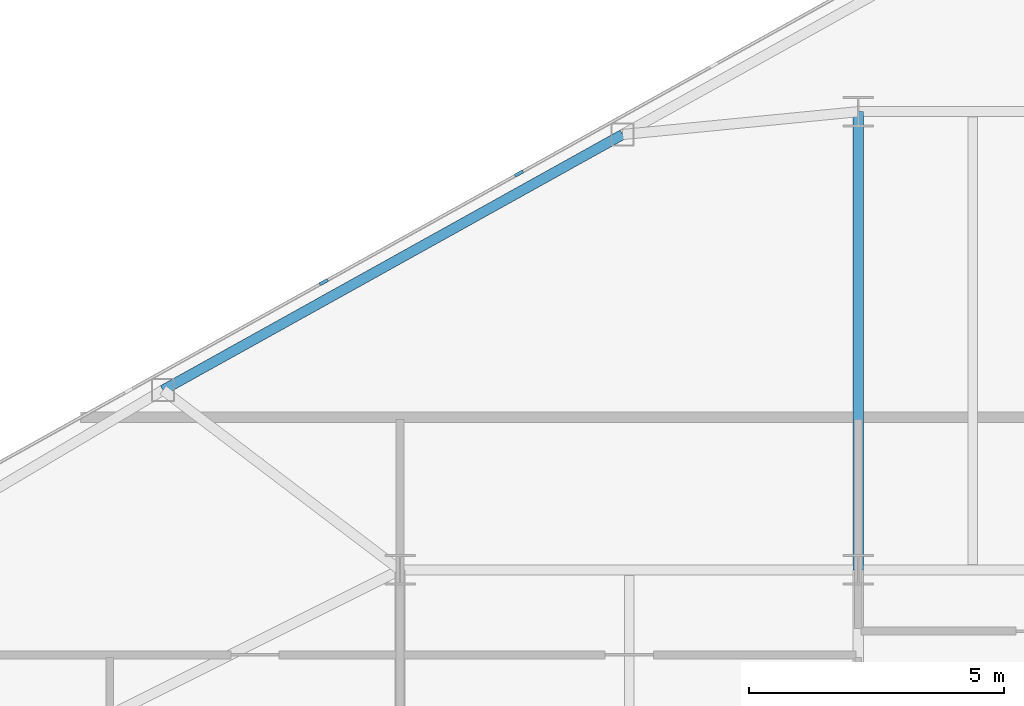
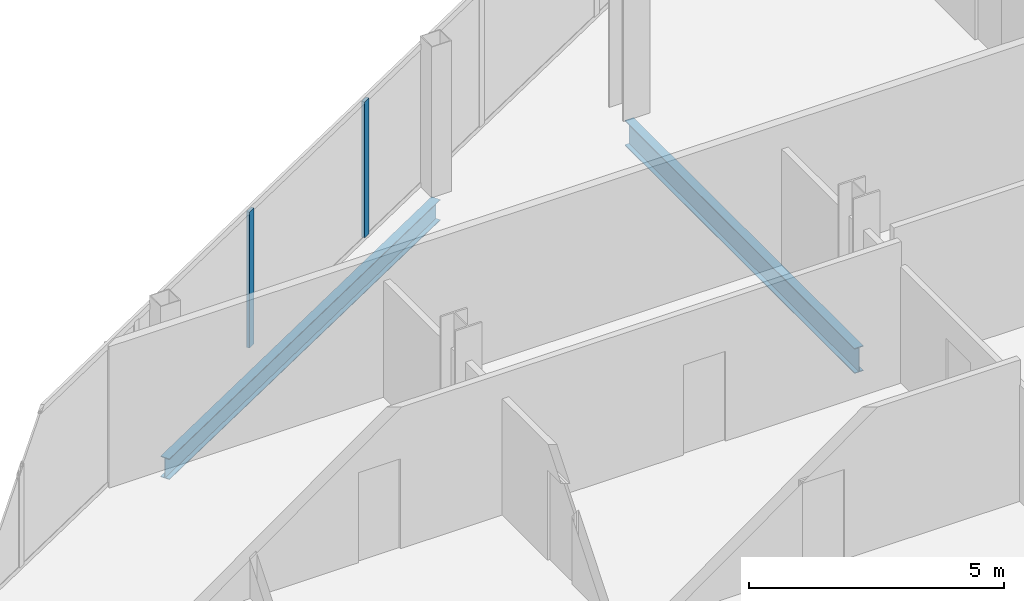
# One storey, part 8 of 26: 2 beams, 2 members, 1 element without a shape of its own.
"""IFC4 building model written with IfcOpenShell, lengths in metres."""

from ifc_helpers import new_model, si_unit, direction, frame, origin, origin_2d, place, context, subcontext, project, spatial, rectangle, i_section, extrude, source, transform, mapped, material, layer, layer_set, material_profile, profile_set, type_object, type_shapes, element, aggregate, save


model = new_model("IFC4")

# Units and contexts
model_context = context("Model", 3, precision=1e-05, world=origin(), true_north=direction((0.0, 1.0)))
body_context = subcontext(model_context, "Body", "Model", "MODEL_VIEW")
ifc_project = project(units=[si_unit("LENGTHUNIT", "METRE"), si_unit("AREAUNIT", "SQUARE_METRE"), si_unit("VOLUMEUNIT", "CUBIC_METRE"), si_unit("PLANEANGLEUNIT", "RADIAN"), si_unit("MASSUNIT", "GRAM", prefix="KILO")], contexts=[model_context])

# Site, building, storey
site_placement = place(None, origin())
site = spatial("IfcSite", under=ifc_project, at=site_placement, CompositionType="ELEMENT")
building_placement = place(site_placement, origin())
building = spatial("IfcBuilding", under=site, at=building_placement, Name="Seokmaru Belvedere", CompositionType="ELEMENT")
storey_placement = place(building_placement, frame((0.0, 0.0, 177.89990234375)))
storey = spatial("IfcBuildingStorey", under=building, at=storey_placement, Name="L47", CompositionType="ELEMENT", Elevation=177.89990234375)

# Beams
ifc_material_1 = material(Name="Steel SM355 (355 MPa)", Category="steel")
ifc_material_profile_1 = material_profile(ifc_material_1, i_section(OverallWidth=0.199951171875, OverallDepth=0.60009765625, WebThickness=0.010986328125, FlangeThickness=0.01708984375, at=origin_2d()), Name="H-600x200x11x17")
ifc_profile_set_1 = profile_set([ifc_material_profile_1], Name="Steel SM355 (355 MPa)")
beam_type_1 = type_object("IfcBeamType", Name="Primary Floor Girder H-600", PredefinedType="BEAM", material=ifc_profile_set_1)
shared_shape_1 = source(origin(), body_context, "Body", "SweptSolid", [
    extrude(i_section(OverallWidth=0.199951171875, OverallDepth=0.60009765625, WebThickness=0.010986328125, FlangeThickness=0.01708984375, at=origin_2d()), origin(), (0.0, 0.0, 1.0), 9.0),
])
type_shapes(beam_type_1, [shared_shape_1])
beam_1_placement = place(storey_placement, frame((-45.5, 4.5, -0.52001953125), z_axis=(0.0, 1.0, 0.0), x_axis=(-1.0, 0.0, 0.0)))
element("IfcBeam", 1, at=beam_1_placement, inside=storey, type_object=beam_type_1, Name="L47 W Interior Grid Girder 3", PredefinedType="BEAM", context=body_context, shape_type="MappedRepresentation", body=[
    mapped(shared_shape_1, transform((0.0, 0.0, 0.0), scale=1.0)),
])
ifc_material_profile_2 = material_profile(ifc_material_1, i_section(OverallWidth=0.199951171875, OverallDepth=0.5, WebThickness=0.010009765625, FlangeThickness=0.01611328125, at=origin_2d()), Name="H-500x200x10x16")
ifc_profile_set_2 = profile_set([ifc_material_profile_2], Name="Steel SM355 (355 MPa)")
beam_type_2 = type_object("IfcBeamType", Name="Perimeter Spandrel Beam H-500", PredefinedType="SPANDREL", material=ifc_profile_set_2)
shared_shape_2 = source(origin(), body_context, "Body", "SweptSolid", [
    extrude(i_section(OverallWidth=0.199951171875, OverallDepth=0.5, WebThickness=0.010009765625, FlangeThickness=0.01611328125, at=origin_2d()), origin(), (0.0, 0.0, 1.0), 10.327392578125),
])
type_shapes(beam_type_2, [shared_shape_2])
beam_2_placement = place(storey_placement, frame((-50.129150390625, 13.051025390625, -0.469970703125), z_axis=(-0.873934162361, -0.48604431882, 0.0), x_axis=(0.48604431882, -0.873934162361, 0.0)))
element("IfcBeam", 2, at=beam_2_placement, inside=storey, type_object=beam_type_2, Name="L47 W Faceted Flank Spandrel N-3", PredefinedType="SPANDREL", context=body_context, shape_type="MappedRepresentation", body=[
    mapped(shared_shape_2, transform((0.0, 0.0, 0.0), scale=1.0)),
])

# Curtain wall, members
ifc_material_2 = material(Name="Bronze Triple Insulating Glass", Category="glass")
ifc_layer = layer(ifc_material_2, 0.179931640625)
ifc_layer_set = layer_set([ifc_layer], Name="Bronze Triple Insulating Glass")
curtain_wall_type = type_object("IfcCurtainWallType", Name="High-Rise Wind-Corner Curtain Wall System CW-5", PredefinedType="NOTDEFINED", material=ifc_layer_set)
curtain_wall_placement = place(storey_placement, origin())
curtain_wall = element("IfcCurtainWall", 3, at=curtain_wall_placement, inside=storey, type_object=curtain_wall_type, Name="L47 Curtain Wall WF3", PredefinedType="NOTDEFINED")
ifc_material_3 = material(Name="Anodised Bronze Aluminium", Category="aluminium")
ifc_material_profile_3 = material_profile(ifc_material_3, rectangle(XDim=0.06494140625, YDim=0.179931640625, at=origin_2d()), Name="CW-M-65x180")
ifc_profile_set_3 = profile_set([ifc_material_profile_3], Name="Anodised Bronze Aluminium")
member_type = type_object("IfcMemberType", Name="Bronze Unitised Mullion 65x180", PredefinedType="MULLION", material=ifc_profile_set_3)
shared_shape_3 = source(origin(), body_context, "Body", "SweptSolid", [
    extrude(rectangle(XDim=0.06494140625, YDim=0.179931640625, at=origin_2d()), origin(), (0.0, 0.0, 1.0), 3.25),
])
type_shapes(member_type, [shared_shape_3])
member_1_placement = place(storey_placement, frame((-52.166015625, 12.2841796875, 0.065185546875), z_axis=(0.0, 0.0, 1.0), x_axis=(0.486047125147, -0.873932601598, 0.0)))
member_1 = element("IfcMember", 4, at=member_1_placement, type_object=member_type, Name="CW:L47:WF3 Mullion 6", PredefinedType="MULLION", context=body_context, shape_type="MappedRepresentation", body=[
    mapped(shared_shape_3, transform((0.0, 0.0, 0.0), scale=1.0)),
])
member_2_placement = place(storey_placement, frame((-55.998291015625, 10.153076171875, 0.065185546875), z_axis=(0.0, 0.0, 1.0), x_axis=(0.486047125147, -0.873932601598, 0.0)))
member_2 = element("IfcMember", 5, at=member_2_placement, type_object=member_type, Name="CW:L47:WF3 Mullion 7", PredefinedType="MULLION", context=body_context, shape_type="MappedRepresentation", body=[
    mapped(shared_shape_3, transform((0.0, 0.0, 0.0), scale=1.0)),
])
aggregate(curtain_wall, [member_1, member_2])

save(model, "model.ifc")
